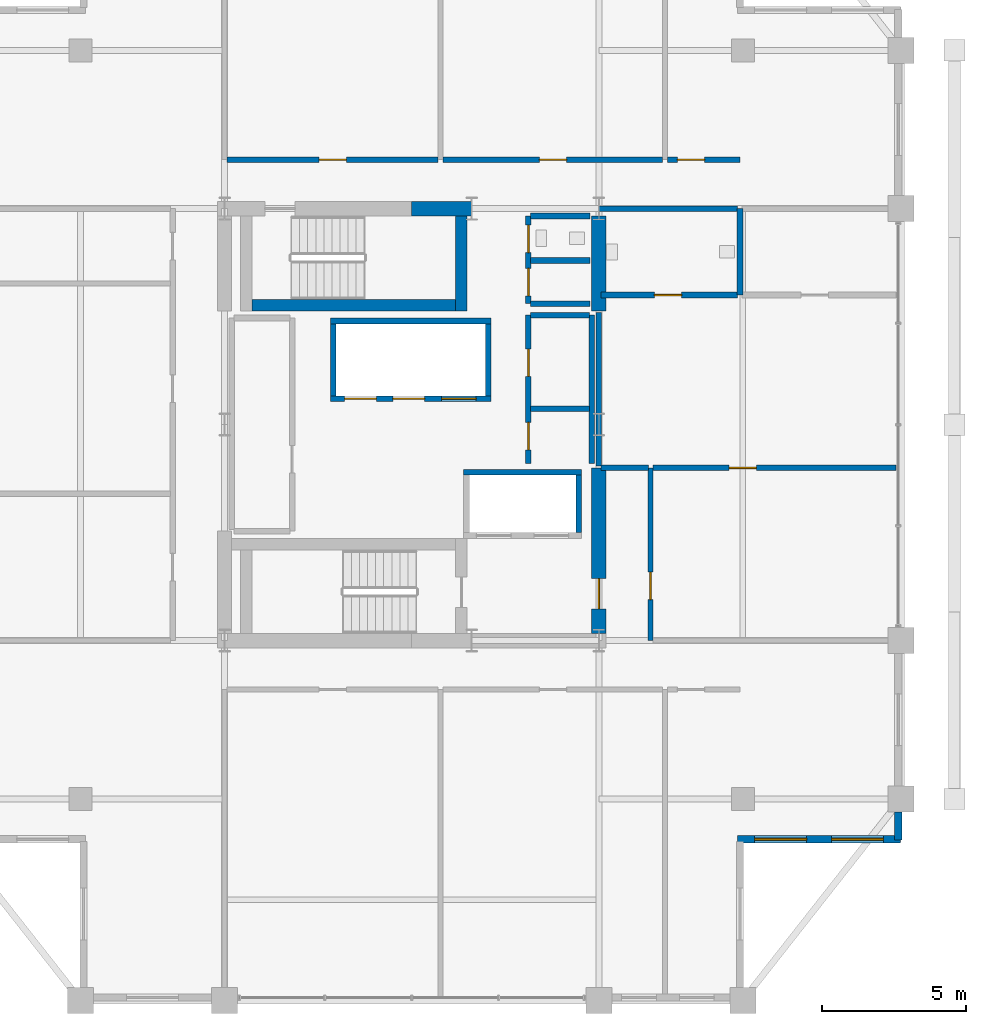
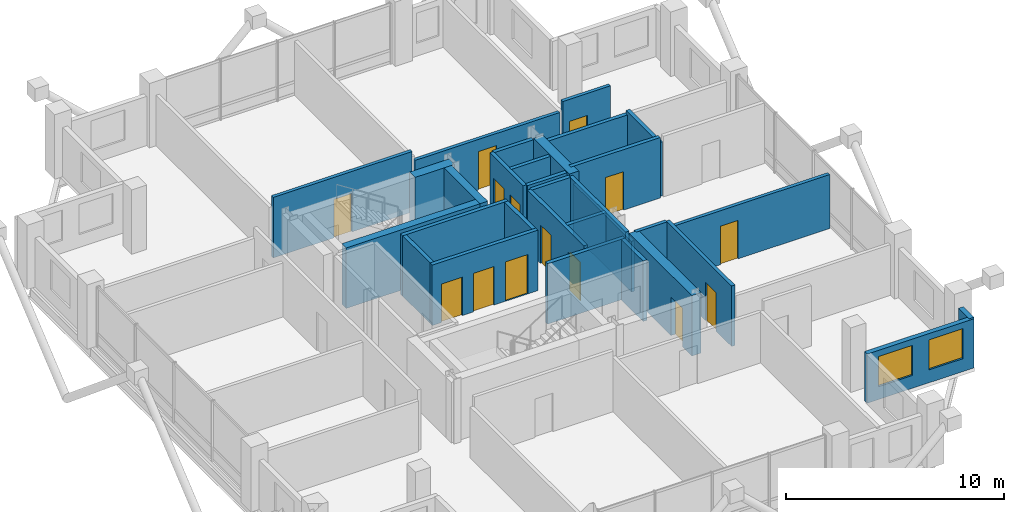
# One storey, part 19 of 22: 31 walls, 14 doors, 2 windows, 16 openings.
"""IFC4 building model written with IfcOpenShell, lengths in metres."""

from ifc_helpers import new_model, si_unit, direction, frame, frame_2d, origin, place, context, subcontext, project, spatial, rectangle, extrude, material, layer, layer_set, type_object, element, fill, save


model = new_model("IFC4")

# Units and contexts
model_context = context("Model", 3, precision=1e-05, world=origin(), true_north=direction((0.0, 1.0)))
body_context = subcontext(model_context, "Body", "Model", "MODEL_VIEW")
ifc_project = project(units=[si_unit("LENGTHUNIT", "METRE"), si_unit("AREAUNIT", "SQUARE_METRE"), si_unit("VOLUMEUNIT", "CUBIC_METRE"), si_unit("PLANEANGLEUNIT", "RADIAN"), si_unit("MASSUNIT", "GRAM", prefix="KILO")], contexts=[model_context])

# Site, building, storey
site_placement = place(None, origin())
site = spatial("IfcSite", under=ifc_project, at=site_placement, CompositionType="ELEMENT")
building_placement = place(site_placement, origin())
building = spatial("IfcBuilding", under=site, at=building_placement, Name="Barlavira Tower and Art Museum", CompositionType="ELEMENT")
storey_placement = place(building_placement, frame((0.0, 0.0, 269.10009765625)))
storey = spatial("IfcBuildingStorey", under=building, at=storey_placement, Name="L70", CompositionType="ELEMENT", Elevation=269.10009765625)

# Wall
ifc_material_1 = material(Name="Concrete C60", Category="concrete")
ifc_layer_1 = layer(ifc_material_1, 0.5, Name="Concrete C60")
ifc_layer_set_1 = layer_set([ifc_layer_1], Name="Concrete C60")
wall_type_1 = type_object("IfcWallType", Name="Core Structural Shear Wall 500 Concrete C60", PredefinedType="SHEAR", material=ifc_layer_set_1)
wall_1_placement = place(storey_placement, frame((0.0, 7.5, 0.0), z_axis=(0.0, 0.0, 1.0), x_axis=(1.0, 0.0, 0.0)))
element("IfcWall", 1, at=wall_1_placement, inside=storey, type_object=wall_type_1, Name="L70 Core Shear Wall CS-EN", PredefinedType="SHEAR", context=body_context, shape_type="SweptSolid", body=[
    extrude(rectangle(XDim=2.080078125, YDim=0.5, at=frame_2d((1.0400390625, 0.0))), origin(), (0.0, 0.0, 1.0), 3.3798828125),
])

# Wall, opening, door
wall_2_placement = place(storey_placement, frame((6.5, -7.25, 0.0), z_axis=(0.0, 0.0, 1.0), x_axis=(0.0, 1.0, 0.0)))
wall_2 = element("IfcWall", 2, at=wall_2_placement, inside=storey, type_object=wall_type_1, Name="L70 Core Shear Wall CS-E1", PredefinedType="SHEAR", context=body_context, shape_type="SweptSolid", body=[
    extrude(rectangle(XDim=5.75, YDim=0.5, at=frame_2d((2.875, 0.0))), origin(), (0.0, 0.0, 1.0), 3.3798828125),
])
opening_1_placement = place(wall_2_placement, frame((0.85009765625, 0.0, 0.0)))
opening_1 = element("IfcOpeningElement", 3, at=opening_1_placement, cuts=wall_2, Name="Opening FD-90", PredefinedType="OPENING", context=body_context, shape_type="SweptSolid", body=[
    extrude(rectangle(XDim=1.050048828125, YDim=2.14990234375, at=frame_2d((0.52490234375, 1.074951171875))), frame((0.0, 0.260009765625, 0.0), z_axis=(0.0, -1.0, 0.0), x_axis=(1.0, 0.0, 0.0)), (0.0, 0.0, 1.0), 0.52001953125),
])
ifc_material_2 = material(Name="Brushed stainless steel", Category="steel")
door_type_1 = type_object("IfcDoorType", Name="Stair and Refuge Fire Door 1050x2150 FD90S", OperationType="NOTDEFINED", PredefinedType="DOOR", material=ifc_material_2)
door_1_placement = place(opening_1_placement, origin())
door_1 = element("IfcDoor", 4, at=door_1_placement, inside=storey, type_object=door_type_1, Name="L70 Firefighting Lobby Entry Fire Door", OperationType="SINGLE_SWING_LEFT", OverallHeight=2.14990234375, OverallWidth=1.050048828125, PredefinedType="DOOR", context=body_context, shape_type="SweptSolid", body=[
    extrude(rectangle(XDim=1.050048828125, YDim=2.14990234375, at=frame_2d((0.52490234375, 1.074951171875))), frame((0.0, 0.02490234375, 0.0), z_axis=(0.0, -1.0, 0.0), x_axis=(1.0, 0.0, 0.0)), (0.0, 0.0, 1.0), 0.050048828125),
])
fill(opening_1, door_1)

# Wall
wall_3_placement = place(storey_placement, frame((6.5, 3.949951171875, 0.0), z_axis=(0.0, 0.0, 1.0), x_axis=(0.0, 1.0, 0.0)))
element("IfcWall", 5, at=wall_3_placement, inside=storey, type_object=wall_type_1, Name="L70 Core Shear Wall CS-E2", PredefinedType="SHEAR", context=body_context, shape_type="SweptSolid", body=[
    extrude(rectangle(XDim=3.300048828125, YDim=0.5, at=frame_2d((1.64990234375, 0.0))), origin(), (0.0, 0.0, 1.0), 3.3798828125),
])

# Wall, openings, doors
ifc_material_3 = material(Name="Autoclaved aerated concrete masonry", Category="masonry")
ifc_layer_2 = layer(ifc_material_3, 0.199951171875, Name="Autoclaved aerated concrete masonry")
ifc_layer_set_2 = layer_set([ifc_layer_2], Name="Autoclaved aerated concrete masonry")
wall_type_2 = type_object("IfcWallType", Name="Fire Compartment and Shaft Wall 200", PredefinedType="SOLIDWALL", material=ifc_layer_set_2)
wall_4_placement = place(storey_placement, frame((-2.820068359375, 0.89990234375, 0.0), z_axis=(0.0, 0.0, 1.0), x_axis=(1.0, 0.0, 0.0)))
wall_4 = element("IfcWall", 6, at=wall_4_placement, inside=storey, type_object=wall_type_2, Name="L70 High-Rise & Service Lift Front Wall", PredefinedType="SOLIDWALL", context=body_context, shape_type="SweptSolid", body=[
    extrude(rectangle(XDim=5.580078125, YDim=0.199951171875, at=frame_2d((2.7900390625, 0.0))), origin(), (0.0, 0.0, 1.0), 3.3798828125),
])
opening_2_placement = place(wall_4_placement, frame((0.489990234375, 0.0, 0.0)))
opening_2 = element("IfcOpeningElement", 7, at=opening_2_placement, cuts=wall_4, Name="Opening LD-P", PredefinedType="OPENING", context=body_context, shape_type="SweptSolid", body=[
    extrude(rectangle(XDim=1.10009765625, YDim=2.14990234375, at=frame_2d((0.550048828125, 1.074951171875))), frame((0.0, 0.10986328125, 0.0), z_axis=(0.0, -1.0, 0.0), x_axis=(1.0, 0.0, 0.0)), (0.0, 0.0, 1.0), 0.219970703125),
])
opening_3_placement = place(wall_4_placement, frame((2.169921875, 0.0, 0.0)))
opening_3 = element("IfcOpeningElement", 8, at=opening_3_placement, cuts=wall_4, Name="Opening LD-P", PredefinedType="OPENING", context=body_context, shape_type="SweptSolid", body=[
    extrude(rectangle(XDim=1.10009765625, YDim=2.14990234375, at=frame_2d((0.550048828125, 1.074951171875))), frame((0.0, 0.10986328125, 0.0), z_axis=(0.0, -1.0, 0.0), x_axis=(1.0, 0.0, 0.0)), (0.0, 0.0, 1.0), 0.219970703125),
])
opening_4_placement = place(wall_4_placement, frame((3.860107421875, 0.0, 0.0)))
opening_4 = element("IfcOpeningElement", 9, at=opening_4_placement, cuts=wall_4, Name="Opening LD-F", PredefinedType="OPENING", context=body_context, shape_type="SweptSolid", body=[
    extrude(rectangle(XDim=1.199951171875, YDim=2.199951171875, at=frame_2d((0.60009765625, 1.10009765625))), frame((0.0, 0.10986328125, 0.0), z_axis=(0.0, -1.0, 0.0), x_axis=(1.0, 0.0, 0.0)), (0.0, 0.0, 1.0), 0.219970703125),
])
door_type_2 = type_object("IfcDoorType", Name="Firefighting and Service Lift Sliding Door 1200x2200 FD120", OperationType="NOTDEFINED", PredefinedType="DOOR", material=ifc_material_2)
door_2_placement = place(opening_4_placement, origin())
door_2 = element("IfcDoor", 10, at=door_2_placement, inside=storey, type_object=door_type_2, Name="L70 Stretcher Service Lift SL1 Sliding Door", OperationType="DOUBLE_DOOR_SLIDING", OverallHeight=2.199951171875, OverallWidth=1.199951171875, PredefinedType="DOOR", context=body_context, shape_type="SweptSolid", body=[
    extrude(rectangle(XDim=1.199951171875, YDim=2.199951171875, at=frame_2d((0.60009765625, 1.10009765625))), frame((0.0, 0.02490234375, 0.0), z_axis=(0.0, -1.0, 0.0), x_axis=(1.0, 0.0, 0.0)), (0.0, 0.0, 1.0), 0.050048828125),
])
fill(opening_4, door_2)
door_type_3 = type_object("IfcDoorType", Name="Passenger Lift Sliding Landing Door 1100x2150 FD60", OperationType="NOTDEFINED", PredefinedType="DOOR", material=ifc_material_2)
door_3_placement = place(opening_2_placement, origin())
door_3 = element("IfcDoor", 11, at=door_3_placement, inside=storey, type_object=door_type_3, Name="L70 Lift PH1 Sliding Landing Door", OperationType="DOUBLE_DOOR_SLIDING", OverallHeight=2.14990234375, OverallWidth=1.10009765625, PredefinedType="DOOR", context=body_context, shape_type="SweptSolid", body=[
    extrude(rectangle(XDim=1.10009765625, YDim=2.14990234375, at=frame_2d((0.550048828125, 1.074951171875))), frame((0.0, 0.02490234375, 0.0), z_axis=(0.0, -1.0, 0.0), x_axis=(1.0, 0.0, 0.0)), (0.0, 0.0, 1.0), 0.050048828125),
])
fill(opening_2, door_3)
door_4_placement = place(opening_3_placement, origin())
door_4 = element("IfcDoor", 12, at=door_4_placement, inside=storey, type_object=door_type_3, Name="L70 Lift PH2 Sliding Landing Door", OperationType="DOUBLE_DOOR_SLIDING", OverallHeight=2.14990234375, OverallWidth=1.10009765625, PredefinedType="DOOR", context=body_context, shape_type="SweptSolid", body=[
    extrude(rectangle(XDim=1.10009765625, YDim=2.14990234375, at=frame_2d((0.550048828125, 1.074951171875))), frame((0.0, 0.02490234375, 0.0), z_axis=(0.0, -1.0, 0.0), x_axis=(1.0, 0.0, 0.0)), (0.0, 0.0, 1.0), 0.050048828125),
])
fill(opening_3, door_4)

# Walls
wall_5_placement = place(storey_placement, frame((-2.820068359375, 3.60009765625, 0.0), z_axis=(0.0, 0.0, 1.0), x_axis=(1.0, 0.0, 0.0)))
element("IfcWall", 13, at=wall_5_placement, inside=storey, type_object=wall_type_2, Name="L70 High-Rise & Service Lift Back Wall", PredefinedType="SOLIDWALL", context=body_context, shape_type="SweptSolid", body=[
    extrude(rectangle(XDim=5.580078125, YDim=0.199951171875, at=frame_2d((2.7900390625, 0.0))), origin(), (0.0, 0.0, 1.0), 3.3798828125),
])
for number, where, z_axis, x_axis, name in (
    (14, (-2.719970703125, 1.0, 0.0), (0.0, 0.0, 1.0), (0.0, 1.0, 0.0), "L70 High-Rise & Service Lift West Wall"),
    (15, (2.659912109375, 1.0, 0.0), (0.0, 0.0, 1.0), (0.0, 1.0, 0.0), "L70 High-Rise & Service Lift East Wall"),
):
    element("IfcWall", number, at=place(storey_placement, frame(where, z_axis=z_axis, x_axis=x_axis)), inside=storey, type_object=wall_type_2, Name=name, PredefinedType="SOLIDWALL", context=body_context, shape_type="SweptSolid", body=[
        extrude(rectangle(XDim=2.5, YDim=0.199951171875, at=frame_2d((1.25, 0.0))), origin(), (0.0, 0.0, 1.0), 3.3798828125),
    ])
wall_6_placement = place(storey_placement, frame((1.800048828125, -1.64990234375, 0.0), z_axis=(0.0, 0.0, 1.0), x_axis=(1.0, 0.0, 0.0)))
element("IfcWall", 16, at=wall_6_placement, inside=storey, type_object=wall_type_2, Name="L70 Firefighting Lift Back Shaft Wall", PredefinedType="SOLIDWALL", context=body_context, shape_type="SweptSolid", body=[
    extrude(rectangle(XDim=4.099853515625, YDim=0.199951171875, at=frame_2d((2.0498046875, 0.0))), origin(), (0.0, 0.0, 1.0), 3.3798828125),
])
wall_7_placement = place(storey_placement, frame((5.800048828125, -3.75, 0.0), z_axis=(0.0, 0.0, 1.0), x_axis=(0.0, 1.0, 0.0)))
element("IfcWall", 17, at=wall_7_placement, inside=storey, type_object=wall_type_2, Name="L70 Firefighting Lift East Shaft Wall", PredefinedType="SOLIDWALL", context=body_context, shape_type="SweptSolid", body=[
    extrude(rectangle(XDim=2.0, YDim=0.199951171875, at=frame_2d((1.0, 0.0))), origin(), (0.0, 0.0, 1.0), 3.3798828125),
])

# Wall, openings, doors
wall_8_placement = place(storey_placement, frame((4.050048828125, -1.35009765625, 0.0), z_axis=(0.0, 0.0, 1.0), x_axis=(0.0, 1.0, 0.0)))
wall_8 = element("IfcWall", 18, at=wall_8_placement, inside=storey, type_object=wall_type_2, Name="L70 Partition Wall 8", PredefinedType="SOLIDWALL", context=body_context, shape_type="SweptSolid", body=[
    extrude(rectangle(XDim=5.150146484375, YDim=0.199951171875, at=frame_2d((2.5751953125, 0.0))), origin(), (0.0, 0.0, 1.0), 3.3798828125),
])
opening_5_placement = place(wall_8_placement, frame((0.47509765625, 0.0, 0.0)))
opening_5 = element("IfcOpeningElement", 19, at=opening_5_placement, cuts=wall_8, Name="Opening FD-60", PredefinedType="OPENING", context=body_context, shape_type="SweptSolid", body=[
    extrude(rectangle(XDim=0.949951171875, YDim=2.14990234375, at=frame_2d((0.47509765625, 1.074951171875))), frame((0.0, 0.10986328125, 0.0), z_axis=(0.0, -1.0, 0.0), x_axis=(1.0, 0.0, 0.0)), (0.0, 0.0, 1.0), 0.219970703125),
])
opening_6_placement = place(wall_8_placement, frame((3.02490234375, 0.0, 0.0)))
opening_6 = element("IfcOpeningElement", 20, at=opening_6_placement, cuts=wall_8, Name="Opening FD-60", PredefinedType="OPENING", context=body_context, shape_type="SweptSolid", body=[
    extrude(rectangle(XDim=0.949951171875, YDim=2.14990234375, at=frame_2d((0.47509765625, 1.074951171875))), frame((0.0, 0.10986328125, 0.0), z_axis=(0.0, -1.0, 0.0), x_axis=(1.0, 0.0, 0.0)), (0.0, 0.0, 1.0), 0.219970703125),
])
door_type_4 = type_object("IfcDoorType", Name="Apartment Entrance and Riser Fire Door 950x2150 FD60S", OperationType="NOTDEFINED", PredefinedType="DOOR", material=ifc_material_2)
door_5_placement = place(opening_5_placement, origin())
door_5 = element("IfcDoor", 21, at=door_5_placement, inside=storey, type_object=door_type_4, Name="Reclaimed Upper Core Wine Cellar Door", OperationType="SINGLE_SWING_LEFT", OverallHeight=2.14990234375, OverallWidth=0.949951171875, PredefinedType="DOOR", context=body_context, shape_type="SweptSolid", body=[
    extrude(rectangle(XDim=0.949951171875, YDim=2.14990234375, at=frame_2d((0.47509765625, 1.074951171875))), frame((0.0, 0.02490234375, 0.0), z_axis=(0.0, -1.0, 0.0), x_axis=(1.0, 0.0, 0.0)), (0.0, 0.0, 1.0), 0.050048828125),
])
fill(opening_5, door_5)
door_6_placement = place(opening_6_placement, origin())
door_6 = element("IfcDoor", 22, at=door_6_placement, inside=storey, type_object=door_type_4, Name="Reclaimed Upper Core Linen Store Door", OperationType="SINGLE_SWING_RIGHT", OverallHeight=2.14990234375, OverallWidth=0.949951171875, PredefinedType="DOOR", context=body_context, shape_type="SweptSolid", body=[
    extrude(rectangle(XDim=0.949951171875, YDim=2.14990234375, at=frame_2d((0.47509765625, 1.074951171875))), frame((0.0, 0.02490234375, 0.0), z_axis=(0.0, -1.0, 0.0), x_axis=(1.0, 0.0, 0.0)), (0.0, 0.0, 1.0), 0.050048828125),
])
fill(opening_6, door_6)

wall_9_placement = place(storey_placement, frame((4.050048828125, 4.199951171875, 0.0), z_axis=(0.0, 0.0, 1.0), x_axis=(0.0, 1.0, 0.0)))
wall_9 = element("IfcWall", 23, at=wall_9_placement, inside=storey, type_object=wall_type_2, Name="L70 Partition Wall 9", PredefinedType="SOLIDWALL", context=body_context, shape_type="SweptSolid", body=[
    extrude(rectangle(XDim=3.050048828125, YDim=0.199951171875, at=frame_2d((1.52490234375, 0.0))), origin(), (0.0, 0.0, 1.0), 3.3798828125),
])
opening_7_placement = place(wall_9_placement, frame((0.27490234375, 0.0, 0.0)))
opening_7 = element("IfcOpeningElement", 24, at=opening_7_placement, cuts=wall_9, Name="Opening FD-60", PredefinedType="OPENING", context=body_context, shape_type="SweptSolid", body=[
    extrude(rectangle(XDim=0.949951171875, YDim=2.14990234375, at=frame_2d((0.47509765625, 1.074951171875))), frame((0.0, 0.10986328125, 0.0), z_axis=(0.0, -1.0, 0.0), x_axis=(1.0, 0.0, 0.0)), (0.0, 0.0, 1.0), 0.219970703125),
])
opening_8_placement = place(wall_9_placement, frame((1.77490234375, 0.0, 0.0)))
opening_8 = element("IfcOpeningElement", 25, at=opening_8_placement, cuts=wall_9, Name="Opening FD-60", PredefinedType="OPENING", context=body_context, shape_type="SweptSolid", body=[
    extrude(rectangle(XDim=0.949951171875, YDim=2.14990234375, at=frame_2d((0.47509765625, 1.074951171875))), frame((0.0, 0.10986328125, 0.0), z_axis=(0.0, -1.0, 0.0), x_axis=(1.0, 0.0, 0.0)), (0.0, 0.0, 1.0), 0.219970703125),
])
door_7_placement = place(opening_7_placement, origin())
door_7 = element("IfcDoor", 26, at=door_7_placement, inside=storey, type_object=door_type_4, Name="Electrical Switchgear Room Door", OperationType="SINGLE_SWING_LEFT", OverallHeight=2.14990234375, OverallWidth=0.949951171875, PredefinedType="DOOR", context=body_context, shape_type="SweptSolid", body=[
    extrude(rectangle(XDim=0.949951171875, YDim=2.14990234375, at=frame_2d((0.47509765625, 1.074951171875))), frame((0.0, 0.02490234375, 0.0), z_axis=(0.0, -1.0, 0.0), x_axis=(1.0, 0.0, 0.0)), (0.0, 0.0, 1.0), 0.050048828125),
])
fill(opening_7, door_7)
door_8_placement = place(opening_8_placement, origin())
door_8 = element("IfcDoor", 27, at=door_8_placement, inside=storey, type_object=door_type_4, Name="Core Staff Toilet Door", OperationType="SINGLE_SWING_RIGHT", OverallHeight=2.14990234375, OverallWidth=0.949951171875, PredefinedType="DOOR", context=body_context, shape_type="SweptSolid", body=[
    extrude(rectangle(XDim=0.949951171875, YDim=2.14990234375, at=frame_2d((0.47509765625, 1.074951171875))), frame((0.0, 0.02490234375, 0.0), z_axis=(0.0, -1.0, 0.0), x_axis=(1.0, 0.0, 0.0)), (0.0, 0.0, 1.0), 0.050048828125),
])
fill(opening_8, door_8)

# Walls
wall_10_placement = place(storey_placement, frame((6.25, -1.35009765625, 0.0), z_axis=(0.0, 0.0, 1.0), x_axis=(0.0, 1.0, 0.0)))
element("IfcWall", 28, at=wall_10_placement, inside=storey, type_object=wall_type_2, Name="L70 Partition Wall 10", PredefinedType="SOLIDWALL", context=body_context, shape_type="SweptSolid", body=[
    extrude(rectangle(XDim=5.150146484375, YDim=0.199951171875, at=frame_2d((2.5751953125, 0.0))), origin(), (0.0, 0.0, 1.0), 3.3798828125),
])
wall_11_placement = place(storey_placement, frame((11.39990234375, 4.5, 0.0), z_axis=(0.0, 0.0, 1.0), x_axis=(0.0, 1.0, 0.0)))
element("IfcWall", 29, at=wall_11_placement, inside=storey, type_object=wall_type_2, Name="L70 Partition Wall 15", PredefinedType="SOLIDWALL", context=body_context, shape_type="SweptSolid", body=[
    extrude(rectangle(XDim=3.0, YDim=0.199951171875, at=frame_2d((1.5, 0.0))), origin(), (0.0, 0.0, 1.0), 3.017822265625),
])
for number, where, z_axis, x_axis, name in (
    (30, (4.1298828125, 0.550048828125, 0.0), (0.0, 0.0, 1.0), (1.0, 0.0, 0.0), "L70 Partition Wall 25"),
    (31, (4.1298828125, 3.800048828125, 0.0), (0.0, 0.0, 1.0), (1.0, 0.0, 0.0), "L70 Partition Wall 27"),
):
    element("IfcWall", number, at=place(storey_placement, frame(where, z_axis=z_axis, x_axis=x_axis)), inside=storey, type_object=wall_type_2, Name=name, PredefinedType="SOLIDWALL", context=body_context, shape_type="SweptSolid", body=[
        extrude(rectangle(XDim=2.0400390625, YDim=0.199951171875, at=frame_2d((1.02001953125, 0.0))), origin(), (0.0, 0.0, 1.0), 3.3798828125),
    ])
wall_12_placement = place(storey_placement, frame((4.1298828125, 4.199951171875, 0.0), z_axis=(0.0, 0.0, 1.0), x_axis=(1.0, 0.0, 0.0)))
element("IfcWall", 32, at=wall_12_placement, inside=storey, type_object=wall_type_2, Name="L70 Partition Wall 28", PredefinedType="SOLIDWALL", context=body_context, shape_type="SweptSolid", body=[
    extrude(rectangle(XDim=2.070068359375, YDim=0.199951171875, at=frame_2d((1.03515625, 0.0))), origin(), (0.0, 0.0, 1.0), 3.3798828125),
])

# Wall, opening, door
wall_13_placement = place(storey_placement, frame((6.580078125, 4.5, 0.0), z_axis=(0.0, 0.0, 1.0), x_axis=(1.0, 0.0, 0.0)))
wall_13 = element("IfcWall", 33, at=wall_13_placement, inside=storey, type_object=wall_type_2, Name="L70 Partition Wall 29", PredefinedType="SOLIDWALL", context=body_context, shape_type="SweptSolid", body=[
    extrude(rectangle(XDim=4.739990234375, YDim=0.199951171875, at=frame_2d((2.3701171875, 0.0))), origin(), (0.0, 0.0, 1.0), 3.3798828125),
])
opening_9_placement = place(wall_13_placement, frame((1.844970703125, 0.0, 0.0)))
opening_9 = element("IfcOpeningElement", 34, at=opening_9_placement, cuts=wall_13, Name="Opening FD-60", PredefinedType="OPENING", context=body_context, shape_type="SweptSolid", body=[
    extrude(rectangle(XDim=0.949951171875, YDim=2.14990234375, at=frame_2d((0.47509765625, 1.074951171875))), frame((0.0, 0.10986328125, 0.0), z_axis=(0.0, -1.0, 0.0), x_axis=(1.0, 0.0, 0.0)), (0.0, 0.0, 1.0), 0.219970703125),
])
door_9_placement = place(opening_9_placement, origin())
door_9 = element("IfcDoor", 35, at=door_9_placement, inside=storey, type_object=door_type_4, Name="Wellness Accessible Shower WC Door", OperationType="SINGLE_SWING_RIGHT", OverallHeight=2.14990234375, OverallWidth=0.949951171875, PredefinedType="DOOR", context=body_context, shape_type="SweptSolid", body=[
    extrude(rectangle(XDim=0.949951171875, YDim=2.14990234375, at=frame_2d((0.47509765625, 1.074951171875))), frame((0.0, 0.02490234375, 0.0), z_axis=(0.0, -1.0, 0.0), x_axis=(1.0, 0.0, 0.0)), (0.0, 0.0, 1.0), 0.050048828125),
])
fill(opening_9, door_9)

# Walls
for number, where, z_axis, x_axis, name in (
    (36, (4.1298828125, 5.699951171875, 0.0), (0.0, 0.0, 1.0), (1.0, 0.0, 0.0), "L70 Partition Wall 32"),
    (37, (4.1298828125, 7.25, 0.0), (0.0, 0.0, 1.0), (1.0, 0.0, 0.0), "L70 Partition Wall 33"),
):
    element("IfcWall", number, at=place(storey_placement, frame(where, z_axis=z_axis, x_axis=x_axis)), inside=storey, type_object=wall_type_2, Name=name, PredefinedType="SOLIDWALL", context=body_context, shape_type="SweptSolid", body=[
        extrude(rectangle(XDim=2.070068359375, YDim=0.199951171875, at=frame_2d((1.03515625, 0.0))), origin(), (0.0, 0.0, 1.0), 3.3798828125),
    ])
wall_14_placement = place(storey_placement, frame((6.5, 7.5, 0.0), z_axis=(0.0, 0.0, 1.0), x_axis=(1.0, 0.0, 0.0)))
element("IfcWall", 38, at=wall_14_placement, inside=storey, type_object=wall_type_2, Name="L70 Partition Wall 35", PredefinedType="SOLIDWALL", context=body_context, shape_type="SweptSolid", body=[
    extrude(rectangle(XDim=4.820068359375, YDim=0.199951171875, at=frame_2d((2.41015625, 0.0))), origin(), (0.0, 0.0, 1.0), 2.825927734375),
])
ifc_material_4 = material(Name="Gypsum acoustic stud partition", Category="gypsum")
ifc_layer_3 = layer(ifc_material_4, 0.179931640625, Name="Gypsum acoustic stud partition")
ifc_layer_set_3 = layer_set([ifc_layer_3], Name="Gypsum acoustic stud partition")
wall_type_3 = type_object("IfcWallType", Name="Inter-Tenancy Party Partition Wall 180", PredefinedType="PARTITIONING", material=ifc_layer_set_3)
wall_15_placement = place(storey_placement, frame((6.5, -1.43994140625, 0.0), z_axis=(0.0, 0.0, 1.0), x_axis=(0.0, 1.0, 0.0)))
element("IfcWall", 39, at=wall_15_placement, inside=storey, type_object=wall_type_3, Name="L70 Partition Wall 11", PredefinedType="PARTITIONING", context=body_context, shape_type="SweptSolid", body=[
    extrude(rectangle(XDim=5.329833984375, YDim=0.179931640625, at=frame_2d((2.6650390625, 0.0))), origin(), (0.0, 0.0, 1.0), 2.825927734375),
])

# Wall, opening, door
wall_16_placement = place(storey_placement, frame((8.300048828125, -7.5, 0.0), z_axis=(0.0, 0.0, 1.0), x_axis=(0.0, 1.0, 0.0)))
wall_16 = element("IfcWall", 40, at=wall_16_placement, inside=storey, type_object=wall_type_3, Name="L70 Partition Wall 12", PredefinedType="PARTITIONING", context=body_context, shape_type="SweptSolid", body=[
    extrude(rectangle(XDim=6.0, YDim=0.179931640625, at=frame_2d((3.0, 0.0))), origin(), (0.0, 0.0, 1.0), 3.3798828125),
])
opening_10_placement = place(wall_16_placement, frame((1.425048828125, 0.0, 0.0)))
opening_10 = element("IfcOpeningElement", 41, at=opening_10_placement, cuts=wall_16, Name="Opening FD-60", PredefinedType="OPENING", context=body_context, shape_type="SweptSolid", body=[
    extrude(rectangle(XDim=0.949951171875, YDim=2.14990234375, at=frame_2d((0.47509765625, 1.074951171875))), frame((0.0, 0.10009765625, 0.0), z_axis=(0.0, -1.0, 0.0), x_axis=(1.0, 0.0, 0.0)), (0.0, 0.0, 1.0), 0.199951171875),
])
door_10_placement = place(opening_10_placement, origin())
door_10 = element("IfcDoor", 42, at=door_10_placement, inside=storey, type_object=door_type_4, Name="Coastal Hydrotherapy and Yoga Lounge Door", OperationType="SINGLE_SWING_RIGHT", OverallHeight=2.14990234375, OverallWidth=0.949951171875, PredefinedType="DOOR", context=body_context, shape_type="SweptSolid", body=[
    extrude(rectangle(XDim=0.949951171875, YDim=2.14990234375, at=frame_2d((0.47509765625, 1.074951171875))), frame((0.0, 0.02490234375, 0.0), z_axis=(0.0, -1.0, 0.0), x_axis=(1.0, 0.0, 0.0)), (0.0, 0.0, 1.0), 0.050048828125),
])
fill(opening_10, door_10)

# Wall
wall_17_placement = place(storey_placement, frame((6.580078125, -1.5, 0.0), z_axis=(0.0, 0.0, 1.0), x_axis=(1.0, 0.0, 0.0)))
element("IfcWall", 43, at=wall_17_placement, inside=storey, type_object=wall_type_3, Name="L70 Partition Wall 23", PredefinedType="PARTITIONING", context=body_context, shape_type="SweptSolid", body=[
    extrude(rectangle(XDim=1.639892578125, YDim=0.179931640625, at=frame_2d((0.81982421875, 0.0))), origin(), (0.0, 0.0, 1.0), 3.3798828125),
])

# Wall, opening, door
wall_18_placement = place(storey_placement, frame((8.3798828125, -1.5, 0.0), z_axis=(0.0, 0.0, 1.0), x_axis=(1.0, 0.0, 0.0)))
wall_18 = element("IfcWall", 44, at=wall_18_placement, inside=storey, type_object=wall_type_3, Name="L70 Partition Wall 24", PredefinedType="PARTITIONING", context=body_context, shape_type="SweptSolid", body=[
    extrude(rectangle(XDim=8.440185546875, YDim=0.179931640625, at=frame_2d((4.22021484375, 0.0))), origin(), (0.0, 0.0, 1.0), 3.017822265625),
])
opening_11_placement = place(wall_18_placement, frame((2.64501953125, 0.0, 0.0)))
opening_11 = element("IfcOpeningElement", 45, at=opening_11_placement, cuts=wall_18, Name="Opening FD-60", PredefinedType="OPENING", context=body_context, shape_type="SweptSolid", body=[
    extrude(rectangle(XDim=0.949951171875, YDim=2.14990234375, at=frame_2d((0.47509765625, 1.074951171875))), frame((0.0, 0.10009765625, 0.0), z_axis=(0.0, -1.0, 0.0), x_axis=(1.0, 0.0, 0.0)), (0.0, 0.0, 1.0), 0.199951171875),
])
door_11_placement = place(opening_11_placement, origin())
door_11 = element("IfcDoor", 46, at=door_11_placement, inside=storey, type_object=door_type_4, Name="Resident Ocean-View Fitness Studio Door", OperationType="SINGLE_SWING_LEFT", OverallHeight=2.14990234375, OverallWidth=0.949951171875, PredefinedType="DOOR", context=body_context, shape_type="SweptSolid", body=[
    extrude(rectangle(XDim=0.949951171875, YDim=2.14990234375, at=frame_2d((0.47509765625, 1.074951171875))), frame((0.0, 0.02490234375, 0.0), z_axis=(0.0, -1.0, 0.0), x_axis=(1.0, 0.0, 0.0)), (0.0, 0.0, 1.0), 0.050048828125),
])
fill(opening_11, door_11)

wall_19_placement = place(storey_placement, frame((-6.419921875, 9.199951171875, 0.0), z_axis=(0.0, 0.0, 1.0), x_axis=(1.0, 0.0, 0.0)))
wall_19 = element("IfcWall", 47, at=wall_19_placement, inside=storey, type_object=wall_type_3, Name="L70 Partition Wall 37", PredefinedType="PARTITIONING", context=body_context, shape_type="SweptSolid", body=[
    extrude(rectangle(XDim=7.33984375, YDim=0.179931640625, at=frame_2d((3.669921875, 0.0))), origin(), (0.0, 0.0, 1.0), 3.3798828125),
])
opening_12_placement = place(wall_19_placement, frame((3.205078125, 0.0, 0.0)))
opening_12 = element("IfcOpeningElement", 48, at=opening_12_placement, cuts=wall_19, Name="Opening FD-60", PredefinedType="OPENING", context=body_context, shape_type="SweptSolid", body=[
    extrude(rectangle(XDim=0.949951171875, YDim=2.14990234375, at=frame_2d((0.47509765625, 1.074951171875))), frame((0.0, 0.10009765625, 0.0), z_axis=(0.0, -1.0, 0.0), x_axis=(1.0, 0.0, 0.0)), (0.0, 0.0, 1.0), 0.199951171875),
])
door_12_placement = place(opening_12_placement, origin())
door_12 = element("IfcDoor", 49, at=door_12_placement, inside=storey, type_object=door_type_4, Name="Resident Art Collectors Salon Door", OperationType="SINGLE_SWING_RIGHT", OverallHeight=2.14990234375, OverallWidth=0.949951171875, PredefinedType="DOOR", context=body_context, shape_type="SweptSolid", body=[
    extrude(rectangle(XDim=0.949951171875, YDim=2.14990234375, at=frame_2d((0.47509765625, 1.074951171875))), frame((0.0, 0.02490234375, 0.0), z_axis=(0.0, -1.0, 0.0), x_axis=(1.0, 0.0, 0.0)), (0.0, 0.0, 1.0), 0.050048828125),
])
fill(opening_12, door_12)

wall_20_placement = place(storey_placement, frame((1.080078125, 9.199951171875, 0.0), z_axis=(0.0, 0.0, 1.0), x_axis=(1.0, 0.0, 0.0)))
wall_20 = element("IfcWall", 50, at=wall_20_placement, inside=storey, type_object=wall_type_3, Name="L70 Partition Wall 38", PredefinedType="PARTITIONING", context=body_context, shape_type="SweptSolid", body=[
    extrude(rectangle(XDim=7.639892578125, YDim=0.179931640625, at=frame_2d((3.81982421875, 0.0))), origin(), (0.0, 0.0, 1.0), 2.825927734375),
])
opening_13_placement = place(wall_20_placement, frame((3.35498046875, 0.0, 0.0)))
opening_13 = element("IfcOpeningElement", 51, at=opening_13_placement, cuts=wall_20, Name="Opening FD-60", PredefinedType="OPENING", context=body_context, shape_type="SweptSolid", body=[
    extrude(rectangle(XDim=0.949951171875, YDim=2.14990234375, at=frame_2d((0.47509765625, 1.074951171875))), frame((0.0, 0.10009765625, 0.0), z_axis=(0.0, -1.0, 0.0), x_axis=(1.0, 0.0, 0.0)), (0.0, 0.0, 1.0), 0.199951171875),
])
door_13_placement = place(opening_13_placement, origin())
door_13 = element("IfcDoor", 52, at=door_13_placement, inside=storey, type_object=door_type_4, Name="Sculpture and Painting Workshop Door", OperationType="SINGLE_SWING_LEFT", OverallHeight=2.14990234375, OverallWidth=0.949951171875, PredefinedType="DOOR", context=body_context, shape_type="SweptSolid", body=[
    extrude(rectangle(XDim=0.949951171875, YDim=2.14990234375, at=frame_2d((0.47509765625, 1.074951171875))), frame((0.0, 0.02490234375, 0.0), z_axis=(0.0, -1.0, 0.0), x_axis=(1.0, 0.0, 0.0)), (0.0, 0.0, 1.0), 0.050048828125),
])
fill(opening_13, door_13)

wall_21_placement = place(storey_placement, frame((8.8798828125, 9.199951171875, 0.0), z_axis=(0.0, 0.0, 1.0), x_axis=(1.0, 0.0, 0.0)))
wall_21 = element("IfcWall", 53, at=wall_21_placement, inside=storey, type_object=wall_type_3, Name="L70 Partition Wall 39", PredefinedType="PARTITIONING", context=body_context, shape_type="SweptSolid", body=[
    extrude(rectangle(XDim=2.52001953125, YDim=0.179931640625, at=frame_2d((1.260009765625, 0.0))), origin(), (0.0, 0.0, 1.0), 3.3798828125),
])
opening_14_placement = place(wall_21_placement, frame((0.344970703125, 0.0, 0.0)))
opening_14 = element("IfcOpeningElement", 54, at=opening_14_placement, cuts=wall_21, Name="Opening FD-60", PredefinedType="OPENING", context=body_context, shape_type="SweptSolid", body=[
    extrude(rectangle(XDim=0.949951171875, YDim=2.14990234375, at=frame_2d((0.47509765625, 1.074951171875))), frame((0.0, 0.10009765625, 0.0), z_axis=(0.0, -1.0, 0.0), x_axis=(1.0, 0.0, 0.0)), (0.0, 0.0, 1.0), 0.199951171875),
])
door_14_placement = place(opening_14_placement, origin())
door_14 = element("IfcDoor", 55, at=door_14_placement, inside=storey, type_object=door_type_4, Name="Climate-Controlled Wine Tasting Room Door", OperationType="SINGLE_SWING_RIGHT", OverallHeight=2.14990234375, OverallWidth=0.949951171875, PredefinedType="DOOR", context=body_context, shape_type="SweptSolid", body=[
    extrude(rectangle(XDim=0.949951171875, YDim=2.14990234375, at=frame_2d((0.47509765625, 1.074951171875))), frame((0.0, 0.02490234375, 0.0), z_axis=(0.0, -1.0, 0.0), x_axis=(1.0, 0.0, 0.0)), (0.0, 0.0, 1.0), 0.050048828125),
])
fill(opening_14, door_14)

# Wall
ifc_material_5 = material(Name="Precast concrete C40", Category="concrete")
ifc_layer_4 = layer(ifc_material_5, 0.25, Name="Precast concrete C40")
ifc_layer_set_4 = layer_set([ifc_layer_4], Name="Precast concrete C40")
wall_type_4 = type_object("IfcWallType", Name="Notched Corner Spandrel Wall 250 Precast Concrete C40", PredefinedType="SOLIDWALL", material=ifc_layer_set_4)
wall_22_placement = place(storey_placement, frame((16.89990234375, -14.425048828125, 0.0), z_axis=(0.0, 0.0, 1.0), x_axis=(0.0, 1.0, 0.0)))
element("IfcWall", 56, at=wall_22_placement, inside=storey, type_object=wall_type_4, Name="L70 Coastal Facade Pier Wall CW4-L70-E-1", PredefinedType="SOLIDWALL", context=body_context, shape_type="SweptSolid", body=[
    extrude(rectangle(XDim=0.97998046875, YDim=0.25, at=frame_2d((0.489990234375, 0.0))), origin(), (0.0, 0.0, 1.0), 2.747802734375),
])

# Wall, openings, windows
wall_23_placement = place(storey_placement, frame((11.320068359375, -14.39990234375, 0.0), z_axis=(0.0, 0.0, 1.0), x_axis=(1.0, 0.0, 0.0)))
wall_23 = element("IfcWall", 57, at=wall_23_placement, inside=storey, type_object=wall_type_4, Name="L70 Notch Corner Wall SE2", PredefinedType="SOLIDWALL", context=body_context, shape_type="SweptSolid", body=[
    extrude(rectangle(XDim=5.659912109375, YDim=0.25, at=frame_2d((2.830078125, 0.0))), origin(), (0.0, 0.0, 1.0), 2.747802734375),
])
opening_15_placement = place(wall_23_placement, frame((0.594970703125, 0.0, 0.719970703125)))
opening_15 = element("IfcOpeningElement", 58, at=opening_15_placement, cuts=wall_23, Name="Opening WN-01", PredefinedType="OPENING", context=body_context, shape_type="SweptSolid", body=[
    extrude(rectangle(XDim=1.800048828125, YDim=1.679931640625, at=frame_2d((0.89990234375, 0.83984375))), frame((0.0, 0.135009765625, 0.0), z_axis=(0.0, -1.0, 0.0), x_axis=(1.0, 0.0, 0.0)), (0.0, 0.0, 1.0), 0.27001953125),
])
opening_16_placement = place(wall_23_placement, frame((3.264892578125, 0.0, 0.719970703125)))
opening_16 = element("IfcOpeningElement", 59, at=opening_16_placement, cuts=wall_23, Name="Opening WN-01", PredefinedType="OPENING", context=body_context, shape_type="SweptSolid", body=[
    extrude(rectangle(XDim=1.800048828125, YDim=1.679931640625, at=frame_2d((0.89990234375, 0.83984375))), frame((0.0, 0.135009765625, 0.0), z_axis=(0.0, -1.0, 0.0), x_axis=(1.0, 0.0, 0.0)), (0.0, 0.0, 1.0), 0.27001953125),
])
ifc_material_6 = material(Name="Low-iron coastal laminated glass", Category="glass")
window_type = type_object("IfcWindowType", Name="Recessed Notch Corner Punch Window 1800x1680", PartitioningType="SINGLE_PANEL", PredefinedType="WINDOW", material=ifc_material_6)
window_1_placement = place(opening_15_placement, origin())
window_1 = element("IfcWindow", 60, at=window_1_placement, inside=storey, type_object=window_type, Name="L70 Punched Facade Window EW-NTC-L70-SE2-1", OverallHeight=1.679931640625, OverallWidth=1.800048828125, PartitioningType="SINGLE_PANEL", PredefinedType="WINDOW", context=body_context, shape_type="SweptSolid", body=[
    extrude(rectangle(XDim=1.800048828125, YDim=1.679931640625, at=frame_2d((0.89990234375, 0.83984375))), frame((0.0, 0.030029296875, 0.0), z_axis=(0.0, -1.0, 0.0), x_axis=(1.0, 0.0, 0.0)), (0.0, 0.0, 1.0), 0.06005859375),
])
fill(opening_15, window_1)
window_2_placement = place(opening_16_placement, origin())
window_2 = element("IfcWindow", 61, at=window_2_placement, inside=storey, type_object=window_type, Name="L70 Punched Facade Window EW-NTC-L70-SE2-2", OverallHeight=1.679931640625, OverallWidth=1.800048828125, PartitioningType="SINGLE_PANEL", PredefinedType="WINDOW", context=body_context, shape_type="SweptSolid", body=[
    extrude(rectangle(XDim=1.800048828125, YDim=1.679931640625, at=frame_2d((0.89990234375, 0.83984375))), frame((0.0, 0.030029296875, 0.0), z_axis=(0.0, -1.0, 0.0), x_axis=(1.0, 0.0, 0.0)), (0.0, 0.0, 1.0), 0.06005859375),
])
fill(opening_16, window_2)

# Walls
ifc_material_7 = material(Name="Concrete C55", Category="concrete")
ifc_layer_5 = layer(ifc_material_7, 0.39990234375, Name="Concrete C55")
ifc_layer_set_5 = layer_set([ifc_layer_5], Name="Concrete C55")
wall_type_5 = type_object("IfcWallType", Name="Upper Core Shear Wall 400 Concrete C55", PredefinedType="SHEAR", material=ifc_layer_set_5)
wall_24_placement = place(storey_placement, frame((-5.550048828125, 4.14990234375, 0.0), z_axis=(0.0, 0.0, 1.0), x_axis=(1.0, 0.0, 0.0)))
element("IfcWall", 62, at=wall_24_placement, inside=storey, type_object=wall_type_5, Name="L70 ST-T2 South Shaft Wall", PredefinedType="SHEAR", context=body_context, shape_type="SweptSolid", body=[
    extrude(rectangle(XDim=7.080078125, YDim=0.39990234375, at=frame_2d((3.5400390625, 0.0))), origin(), (0.0, 0.0, 1.0), 3.3798828125),
])
wall_25_placement = place(storey_placement, frame((1.72998046875, 3.949951171875, 0.0), z_axis=(0.0, 0.0, 1.0), x_axis=(0.0, 1.0, 0.0)))
element("IfcWall", 63, at=wall_25_placement, inside=storey, type_object=wall_type_5, Name="L70 ST-T2 East Half-Landing Wall", PredefinedType="SHEAR", context=body_context, shape_type="SweptSolid", body=[
    extrude(rectangle(XDim=3.300048828125, YDim=0.39990234375, at=frame_2d((1.64990234375, 0.0))), origin(), (0.0, 0.0, 1.0), 3.3798828125),
])

save(model, "model.ifc")
